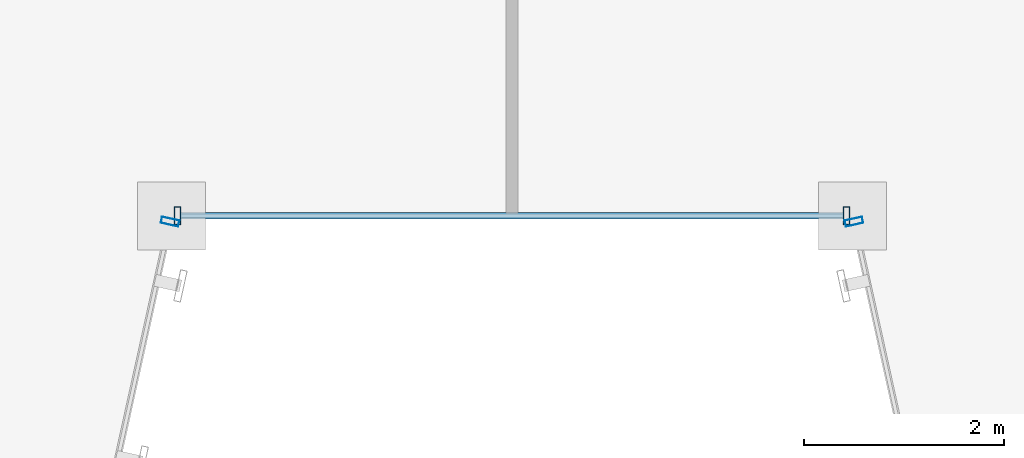
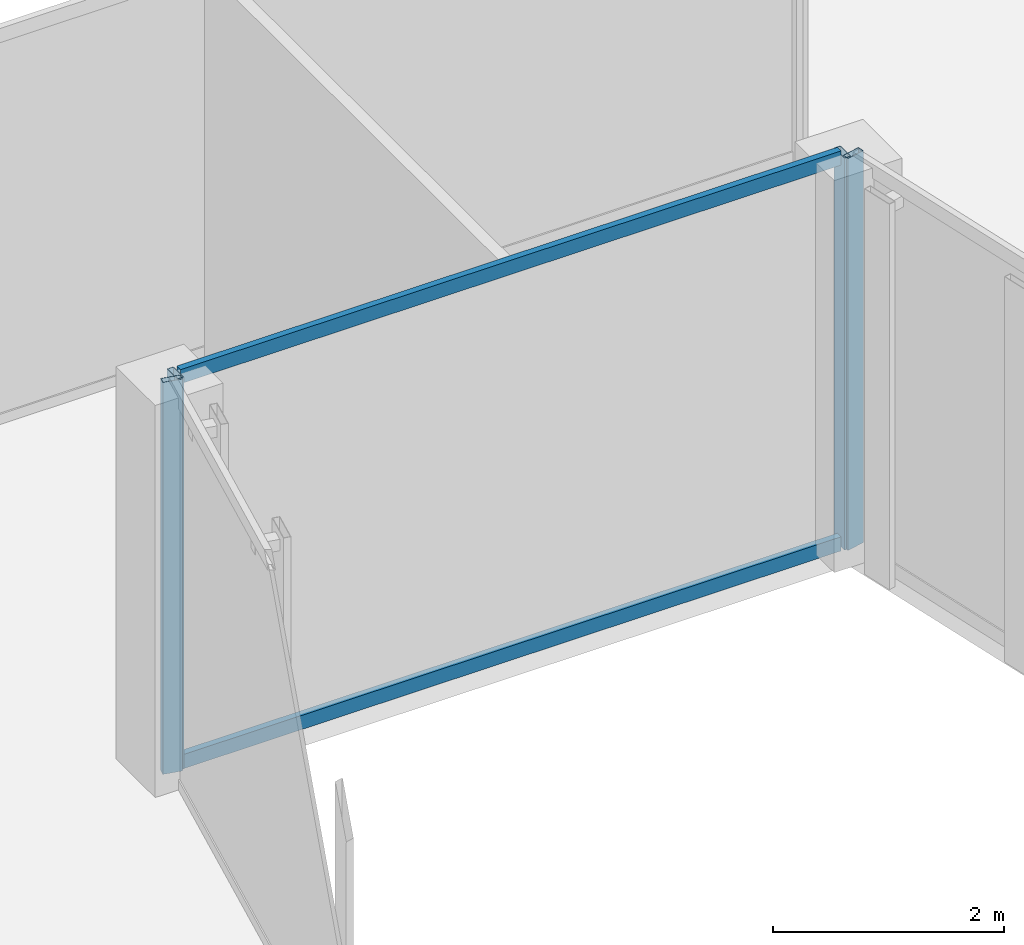
# One storey, part 9 of 49: 6 members, 3 elements without a shape of their own.
"""IFC4 building model written with IfcOpenShell, lengths in metres."""

from ifc_helpers import new_model, si_unit, direction, frame, origin, origin_2d, place, context, subcontext, project, spatial, hollow_rectangle, extrude, material, material_profile, profile_set, type_object, element, aggregate, save


model = new_model("IFC4")

# Units and contexts
model_context = context("Model", 3, precision=1e-05, world=origin(), true_north=direction((0.0, 1.0)))
body_context = subcontext(model_context, "Body", "Model", "MODEL_VIEW")
ifc_project = project(units=[si_unit("LENGTHUNIT", "METRE"), si_unit("AREAUNIT", "SQUARE_METRE"), si_unit("VOLUMEUNIT", "CUBIC_METRE"), si_unit("PLANEANGLEUNIT", "RADIAN"), si_unit("MASSUNIT", "GRAM", prefix="KILO")], contexts=[model_context])

# Site, building, storey
site_placement = place(None, origin())
site = spatial("IfcSite", under=ifc_project, at=site_placement, CompositionType="ELEMENT")
building_placement = place(site_placement, origin())
building = spatial("IfcBuilding", under=site, at=building_placement, Name="Saevonmaru Cultural Tower", CompositionType="ELEMENT")
storey_placement = place(building_placement, frame((0.0, 0.0, 73.60009765625)))
storey = spatial("IfcBuildingStorey", under=building, at=storey_placement, Name="L15", CompositionType="ELEMENT", Elevation=73.60009765625)

# Curtain wall, member
ifc_material = material(Name="Satin Bronze Anodised Aluminium", Category="aluminium")
curtain_wall_type = type_object("IfcCurtainWallType", Name="CW-TYP-A", PredefinedType="NOTDEFINED", material=ifc_material)
curtain_wall_1_placement = place(storey_placement, origin())
curtain_wall_1 = element("IfcCurtainWall", 1, at=curtain_wall_1_placement, inside=storey, type_object=curtain_wall_type, Name="L15 Unitised Curtain Wall E3", PredefinedType="NOTDEFINED")
ifc_material_profile_1 = material_profile(ifc_material, hollow_rectangle(XDim=0.06494140625, YDim=0.179931640625, WallThickness=0.00390625, at=origin_2d()), Name="ALU-MULL-180x65x4")
ifc_profile_set_1 = profile_set([ifc_material_profile_1], Name="Satin Bronze Anodised Aluminium")
member_type_1 = type_object("IfcMemberType", Name="ML-CW-180x65", PredefinedType="MULLION", material=ifc_profile_set_1)
member_1_placement = place(storey_placement, frame((26.587158203125, 15.54150390625, 0.0), z_axis=(0.0, 0.0, 1.0), x_axis=(0.215413319953, 0.976522965212, 0.0)))
member_1 = element("IfcMember", 2, at=member_1_placement, type_object=member_type_1, Name="CW-TW-L15-E3 mullion 2", PredefinedType="MULLION", context=body_context, shape_type="SweptSolid", body=[
    extrude(hollow_rectangle(XDim=0.06494140625, YDim=0.179931640625, WallThickness=0.00390625, at=origin_2d()), origin(), (0.0, 0.0, 1.0), 4.14990234375),
])
aggregate(curtain_wall_1, [member_1])

# Curtain wall, members
curtain_wall_2_placement = place(storey_placement, origin())
curtain_wall_2 = element("IfcCurtainWall", 3, at=curtain_wall_2_placement, inside=storey, type_object=curtain_wall_type, Name="L15 Unitised Curtain Wall E4", PredefinedType="NOTDEFINED")
member_2_placement = place(storey_placement, frame((26.659912109375, 15.60009765625, 0.0), z_axis=(0.0, 0.0, 1.0), x_axis=(1.0, 0.0, 0.0)))
member_2 = element("IfcMember", 4, at=member_2_placement, type_object=member_type_1, Name="CW-TW-L15-E4 mullion 1", PredefinedType="MULLION", context=body_context, shape_type="SweptSolid", body=[
    extrude(hollow_rectangle(XDim=0.06494140625, YDim=0.179931640625, WallThickness=0.00390625, at=origin_2d()), origin(), (0.0, 0.0, 1.0), 4.14990234375),
])
member_3_placement = place(storey_placement, frame((33.340087890625, 15.60009765625, 0.0), z_axis=(0.0, 0.0, 1.0), x_axis=(1.0, 0.0, 0.0)))
member_3 = element("IfcMember", 5, at=member_3_placement, type_object=member_type_1, Name="CW-TW-L15-E4 mullion 2", PredefinedType="MULLION", context=body_context, shape_type="SweptSolid", body=[
    extrude(hollow_rectangle(XDim=0.06494140625, YDim=0.179931640625, WallThickness=0.00390625, at=origin_2d()), origin(), (0.0, 0.0, 1.0), 4.14990234375),
])

# Curtain wall, member
curtain_wall_3_placement = place(storey_placement, origin())
curtain_wall_3 = element("IfcCurtainWall", 6, at=curtain_wall_3_placement, inside=storey, type_object=curtain_wall_type, Name="L15 Unitised Curtain Wall E5", PredefinedType="NOTDEFINED")
member_4_placement = place(storey_placement, frame((33.412841796875, 15.54150390625, 0.0), z_axis=(0.0, 0.0, 1.0), x_axis=(0.215413319953, -0.976522965212, 0.0)))
member_4 = element("IfcMember", 7, at=member_4_placement, type_object=member_type_1, Name="CW-TW-L15-E5 mullion 1", PredefinedType="MULLION", context=body_context, shape_type="SweptSolid", body=[
    extrude(hollow_rectangle(XDim=0.06494140625, YDim=0.179931640625, WallThickness=0.00390625, at=origin_2d()), origin(), (0.0, 0.0, 1.0), 4.14990234375),
])
aggregate(curtain_wall_3, [member_4])

# Member
ifc_material_profile_2 = material_profile(ifc_material, hollow_rectangle(XDim=0.06494140625, YDim=0.14990234375, WallThickness=0.00390625, at=origin_2d()), Name="ALU-TRAN-150x65x4")
ifc_profile_set_2 = profile_set([ifc_material_profile_2], Name="Satin Bronze Anodised Aluminium")
member_type_2 = type_object("IfcMemberType", Name="TR-CW-150x65", PredefinedType="USERDEFINED", material=ifc_profile_set_2)
member_5_placement = place(storey_placement, frame((26.6923828125, 15.60009765625, 0.032470703125), z_axis=(1.0, 0.0, 0.0), x_axis=(0.0, 1.0, 0.0)))
member_5 = element("IfcMember", 8, at=member_5_placement, type_object=member_type_2, Name="CW-TW-L15-E4 transom 1.1", ObjectType="TRANSOM", PredefinedType="USERDEFINED", context=body_context, shape_type="SweptSolid", body=[
    extrude(hollow_rectangle(XDim=0.06494140625, YDim=0.14990234375, WallThickness=0.00390625, at=origin_2d()), origin(), (0.0, 0.0, 1.0), 6.615234375),
])

member_6_placement = place(storey_placement, frame((26.6923828125, 15.60009765625, 4.117431640625), z_axis=(1.0, 0.0, 0.0), x_axis=(0.0, 1.0, 0.0)))
member_6 = element("IfcMember", 9, at=member_6_placement, type_object=member_type_2, Name="CW-TW-L15-E4 transom 1.2", ObjectType="TRANSOM", PredefinedType="USERDEFINED", context=body_context, shape_type="SweptSolid", body=[
    extrude(hollow_rectangle(XDim=0.06494140625, YDim=0.14990234375, WallThickness=0.00390625, at=origin_2d()), origin(), (0.0, 0.0, 1.0), 6.615234375),
])

aggregate(curtain_wall_2, [member_2, member_3, member_5, member_6])

save(model, "model.ifc")
